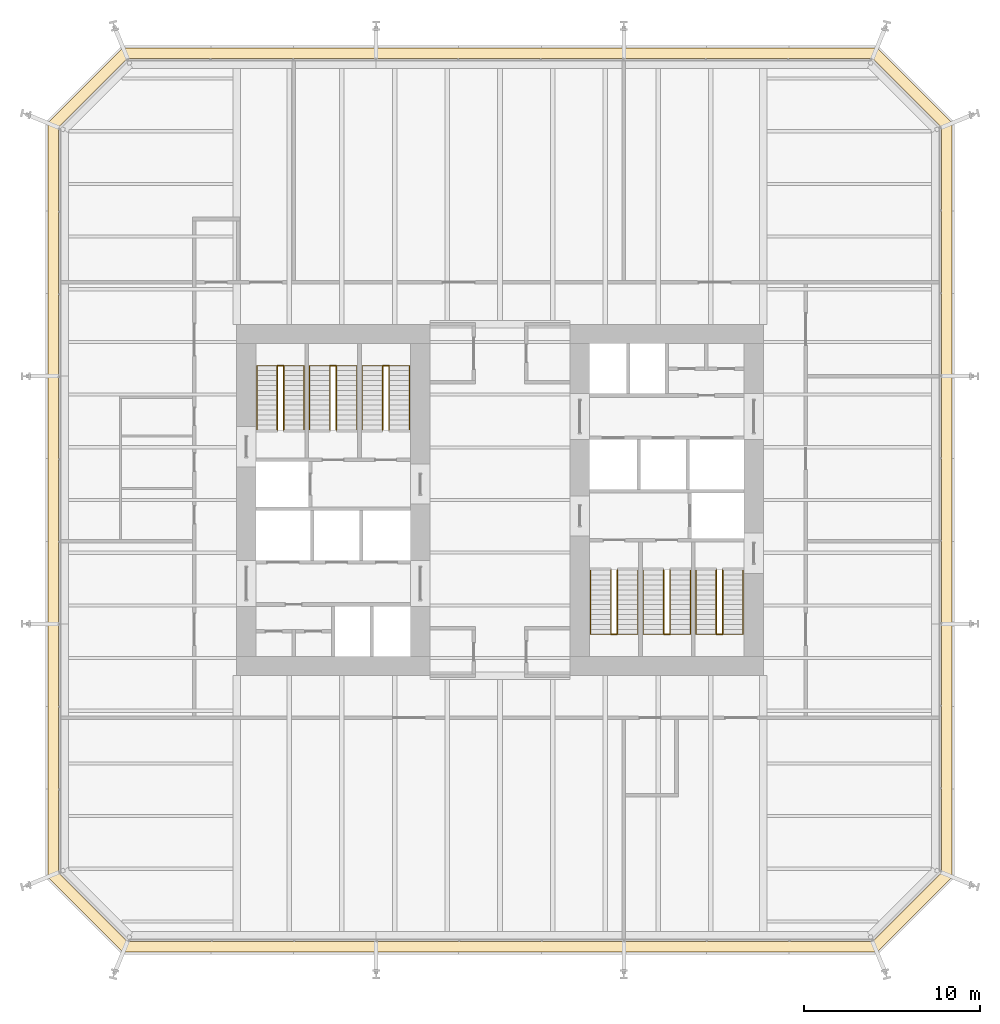
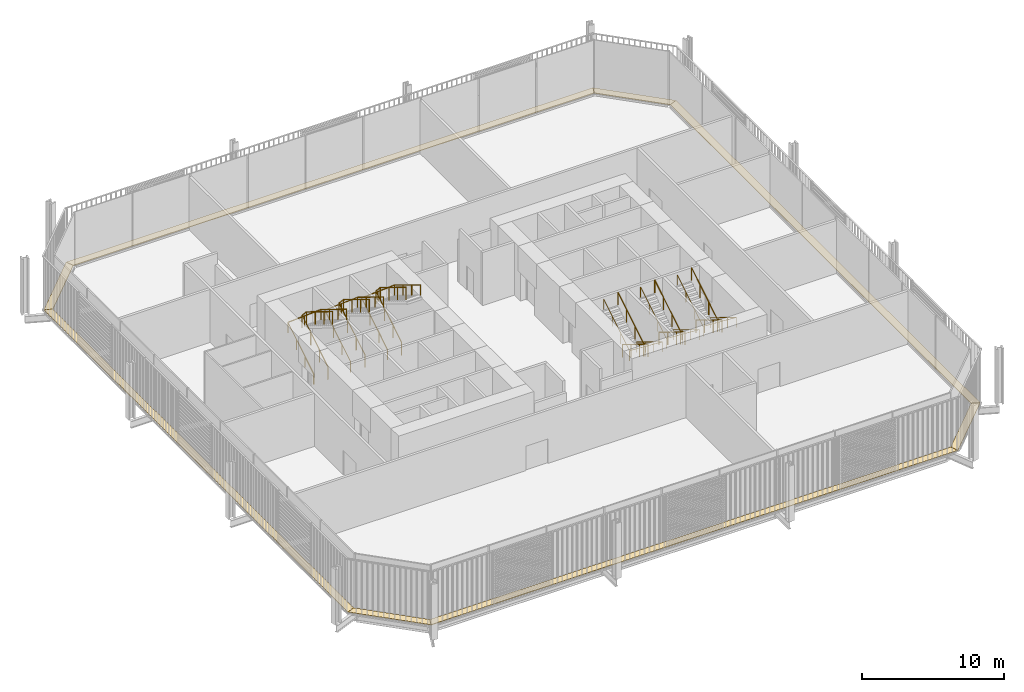
# One storey, part 22 of 22: 12 railings, 8 coverings.
"""IFC4 building model written with IfcOpenShell, lengths in metres."""

from ifc_helpers import new_model, si_unit, direction, frame, origin, origin_2d, place, context, subcontext, project, spatial, polyline, circle, outline, extrude, material, layer, layer_set, type_object, element, save


model = new_model("IFC4")

# Units and contexts
model_context = context("Model", 3, precision=1e-05, world=origin(), true_north=direction((0.0, 1.0)))
body_context = subcontext(model_context, "Body", "Model", "MODEL_VIEW")
ifc_project = project(units=[si_unit("LENGTHUNIT", "METRE"), si_unit("AREAUNIT", "SQUARE_METRE"), si_unit("VOLUMEUNIT", "CUBIC_METRE"), si_unit("PLANEANGLEUNIT", "RADIAN"), si_unit("MASSUNIT", "GRAM", prefix="KILO")], contexts=[model_context])

# Site, building, storey
site_placement = place(None, origin())
site = spatial("IfcSite", under=ifc_project, at=site_placement, CompositionType="ELEMENT")
building_placement = place(site_placement, origin())
building = spatial("IfcBuilding", under=site, at=building_placement, Name="Millrace Tower", CompositionType="ELEMENT")
storey_placement = place(building_placement, frame((0.0, 0.0, 49.699951171875)))
storey = spatial("IfcBuildingStorey", under=building, at=storey_placement, Name="L11", CompositionType="ELEMENT", Elevation=49.699951171875)

# Coverings
ifc_material_1 = material(Name="Steel ASTM A36", Category="steel")
ifc_layer = layer(ifc_material_1, 0.050048828125)
ifc_layer_set = layer_set([ifc_layer], Name="Steel ASTM A36")
covering_type = type_object("IfcCoveringType", Name="CAVITY CATWALK steel grating", PredefinedType="FLOORING", material=ifc_layer_set)
placement = place(storey_placement, frame((0.0, 0.0, 0.10009765625)))
element("IfcCovering", 1, at=placement, inside=storey, type_object=covering_type, Name="Cavity catwalk grating A-F01 L11 1", PredefinedType="FLOORING", context=body_context, shape_type="SweptSolid", body=[
    extrude(outline(polyline([(-25.75, -21.460693359375), (-21.460693359375, -25.75), (-21.212158203125, -25.14990234375), (-25.14990234375, -21.212158203125), (-25.75, -21.460693359375)])), origin(), (0.0, 0.0, 1.0), 0.050048828125),
])
element("IfcCovering", 2, at=placement, inside=storey, type_object=covering_type, Name="Cavity catwalk grating A-F02 L11 1", PredefinedType="FLOORING", context=body_context, shape_type="SweptSolid", body=[
    extrude(outline(polyline([(-21.460693359375, -25.75), (21.460693359375, -25.75), (21.212158203125, -25.14990234375), (-21.212158203125, -25.14990234375), (-21.460693359375, -25.75)])), origin(), (0.0, 0.0, 1.0), 0.050048828125),
])
element("IfcCovering", 3, at=placement, inside=storey, type_object=covering_type, Name="Cavity catwalk grating A-F03 L11 1", PredefinedType="FLOORING", context=body_context, shape_type="SweptSolid", body=[
    extrude(outline(polyline([(21.460693359375, -25.75), (25.75, -21.460693359375), (25.14990234375, -21.212158203125), (21.212158203125, -25.14990234375), (21.460693359375, -25.75)])), origin(), (0.0, 0.0, 1.0), 0.050048828125),
])
element("IfcCovering", 4, at=placement, inside=storey, type_object=covering_type, Name="Cavity catwalk grating A-F04 L11 1", PredefinedType="FLOORING", context=body_context, shape_type="SweptSolid", body=[
    extrude(outline(polyline([(25.75, -21.460693359375), (25.75, 21.460693359375), (25.14990234375, 21.212158203125), (25.14990234375, -21.212158203125), (25.75, -21.460693359375)])), origin(), (0.0, 0.0, 1.0), 0.050048828125),
])
element("IfcCovering", 5, at=placement, inside=storey, type_object=covering_type, Name="Cavity catwalk grating A-F05 L11 1", PredefinedType="FLOORING", context=body_context, shape_type="SweptSolid", body=[
    extrude(outline(polyline([(25.75, 21.460693359375), (21.460693359375, 25.75), (21.212158203125, 25.14990234375), (25.14990234375, 21.212158203125), (25.75, 21.460693359375)])), origin(), (0.0, 0.0, 1.0), 0.050048828125),
])
element("IfcCovering", 6, at=placement, inside=storey, type_object=covering_type, Name="Cavity catwalk grating A-F06 L11 1", PredefinedType="FLOORING", context=body_context, shape_type="SweptSolid", body=[
    extrude(outline(polyline([(21.460693359375, 25.75), (-21.460693359375, 25.75), (-21.212158203125, 25.14990234375), (21.212158203125, 25.14990234375), (21.460693359375, 25.75)])), origin(), (0.0, 0.0, 1.0), 0.050048828125),
])
element("IfcCovering", 7, at=placement, inside=storey, type_object=covering_type, Name="Cavity catwalk grating A-F07 L11 1", PredefinedType="FLOORING", context=body_context, shape_type="SweptSolid", body=[
    extrude(outline(polyline([(-21.460693359375, 25.75), (-25.75, 21.460693359375), (-25.14990234375, 21.212158203125), (-21.212158203125, 25.14990234375), (-21.460693359375, 25.75)])), origin(), (0.0, 0.0, 1.0), 0.050048828125),
])
element("IfcCovering", 8, at=placement, inside=storey, type_object=covering_type, Name="Cavity catwalk grating A-F08 L11 1", PredefinedType="FLOORING", context=body_context, shape_type="SweptSolid", body=[
    extrude(outline(polyline([(-25.75, 21.460693359375), (-25.75, -21.460693359375), (-25.14990234375, -21.212158203125), (-25.14990234375, 21.212158203125), (-25.75, 21.460693359375)])), origin(), (0.0, 0.0, 1.0), 0.050048828125),
])

# Railings
ifc_material_2 = material(Name="Stainless steel ASTM A240 type 316", Category="steel")
railing_type_1 = type_object("IfcRailingType", Name="Stair guard 1100", PredefinedType="GUARDRAIL", material=ifc_material_2)
for number, where, name in (
    (9, (-12.679931640625, 4.0, 0.17138671875), "Stair guard 1 W L11"),
    (10, (-9.679931640625, 4.0, 0.17138671875), "Stair guard 2 W L11"),
    (11, (-6.679931640625, 4.0, 0.17138671875), "Stair guard 3 W L11"),
):
    element("IfcRailing", number, at=place(storey_placement, frame(where)), inside=storey, type_object=railing_type_1, Name=name, PredefinedType="GUARDRAIL", context=body_context, shape_type="SweptSolid", body=[
        extrude(circle(Radius=0.02392578125, at=origin_2d()), frame((0.0, 0.0, 1.076171875), z_axis=(0.0, 0.852824790078, 0.522197163366), x_axis=(-1.0, 0.0, 0.0)), (0.0, 0.0, 1.0), 4.26806640625),
        extrude(circle(Radius=0.02392578125, at=origin_2d()), frame((0.0, 3.639892578125, 3.3046875), z_axis=(0.902837873996, 0.0, 0.429981131306), x_axis=(0.0, 1.0, 0.0)), (0.0, 0.0, 1.0), 0.398681640625),
        extrude(circle(Radius=0.02392578125, at=origin_2d()), frame((0.35986328125, 3.639892578125, 3.47607421875), z_axis=(0.0, -0.852850264322, 0.5221555579), x_axis=(1.0, 0.0, 0.0)), (0.0, 0.0, 1.0), 4.267822265625),
        extrude(circle(Radius=0.02099609375, at=origin_2d()), origin(), (0.0, 0.0, 1.0), 1.052001953125),
        extrude(circle(Radius=0.02099609375, at=origin_2d()), frame((0.0, 1.21337890625, 0.742919921875)), (0.0, 0.0, 1.0), 1.052001953125),
        extrude(circle(Radius=0.02099609375, at=origin_2d()), frame((0.0, 2.426513671875, 1.48583984375)), (0.0, 0.0, 1.0), 1.052001953125),
        extrude(circle(Radius=0.02099609375, at=origin_2d()), frame((0.0, 3.639892578125, 2.228759765625)), (0.0, 0.0, 1.0), 1.052001953125),
        extrude(circle(Radius=0.02099609375, at=origin_2d()), frame((0.35986328125, 3.639892578125, 2.400146484375)), (0.0, 0.0, 1.0), 1.052001953125),
        extrude(circle(Radius=0.02099609375, at=origin_2d()), frame((0.35986328125, 2.426513671875, 3.14306640625)), (0.0, 0.0, 1.0), 1.052001953125),
        extrude(circle(Radius=0.02099609375, at=origin_2d()), frame((0.35986328125, 1.21337890625, 3.8857421875)), (0.0, 0.0, 1.0), 1.052001953125),
        extrude(circle(Radius=0.02099609375, at=origin_2d()), frame((0.35986328125, 0.0, 4.628662109375)), (0.0, 0.0, 1.0), 1.052001953125),
    ])
for number, where, name in (
    (12, (12.679931640625, -4.0, 0.17138671875), "Stair guard 1 E L11"),
    (13, (9.679931640625, -4.0, 0.17138671875), "Stair guard 2 E L11"),
    (14, (6.679931640625, -4.0, 0.17138671875), "Stair guard 3 E L11"),
):
    element("IfcRailing", number, at=place(storey_placement, frame(where)), inside=storey, type_object=railing_type_1, Name=name, PredefinedType="GUARDRAIL", context=body_context, shape_type="SweptSolid", body=[
        extrude(circle(Radius=0.02392578125, at=origin_2d()), frame((0.0, 0.0, 1.076171875), z_axis=(0.0, -0.852824790078, 0.522197163366), x_axis=(1.0, 0.0, 0.0)), (0.0, 0.0, 1.0), 4.26806640625),
        extrude(circle(Radius=0.02392578125, at=origin_2d()), frame((0.0, -3.639892578125, 3.3046875), z_axis=(-0.902837873996, 0.0, 0.429981131306), x_axis=(0.0, -1.0, 0.0)), (0.0, 0.0, 1.0), 0.398681640625),
        extrude(circle(Radius=0.02392578125, at=origin_2d()), frame((-0.35986328125, -3.639892578125, 3.47607421875), z_axis=(0.0, 0.852850264322, 0.5221555579), x_axis=(-1.0, 0.0, 0.0)), (0.0, 0.0, 1.0), 4.267822265625),
        extrude(circle(Radius=0.02099609375, at=origin_2d()), origin(), (0.0, 0.0, 1.0), 1.052001953125),
        extrude(circle(Radius=0.02099609375, at=origin_2d()), frame((0.0, -1.21337890625, 0.742919921875)), (0.0, 0.0, 1.0), 1.052001953125),
        extrude(circle(Radius=0.02099609375, at=origin_2d()), frame((0.0, -2.426513671875, 1.48583984375)), (0.0, 0.0, 1.0), 1.052001953125),
        extrude(circle(Radius=0.02099609375, at=origin_2d()), frame((0.0, -3.639892578125, 2.228759765625)), (0.0, 0.0, 1.0), 1.052001953125),
        extrude(circle(Radius=0.02099609375, at=origin_2d()), frame((-0.35986328125, -3.639892578125, 2.400146484375)), (0.0, 0.0, 1.0), 1.052001953125),
        extrude(circle(Radius=0.02099609375, at=origin_2d()), frame((-0.35986328125, -2.426513671875, 3.14306640625)), (0.0, 0.0, 1.0), 1.052001953125),
        extrude(circle(Radius=0.02099609375, at=origin_2d()), frame((-0.35986328125, -1.21337890625, 3.8857421875)), (0.0, 0.0, 1.0), 1.052001953125),
        extrude(circle(Radius=0.02099609375, at=origin_2d()), frame((-0.35986328125, 0.0, 4.628662109375)), (0.0, 0.0, 1.0), 1.052001953125),
    ])
ifc_material_3 = material(Name="Stainless steel ASTM A240 type 316", Category="steel")
railing_type_2 = type_object("IfcRailingType", Name="Stair handrail 900", PredefinedType="HANDRAIL", material=ifc_material_3)
railing_1_placement = place(storey_placement, frame((-13.840087890625, 4.0, 0.17138671875)))
element("IfcRailing", 15, at=railing_1_placement, inside=storey, type_object=railing_type_2, Name="Stair handrail 1 W L11", PredefinedType="HANDRAIL", context=body_context, shape_type="SweptSolid", body=[
    extrude(circle(Radius=0.02392578125, at=origin_2d()), frame((0.0, 0.0, 0.8759765625), z_axis=(0.0, 0.852824790078, 0.522197163366), x_axis=(-1.0, 0.0, 0.0)), (0.0, 0.0, 1.0), 4.26806640625),
    extrude(circle(Radius=0.02392578125, at=origin_2d()), frame((0.0, 3.639892578125, 3.1044921875), z_axis=(0.9979616988, 0.0, 0.063815732607), x_axis=(0.0, 1.0, 0.0)), (0.0, 0.0, 1.0), 2.685546875),
    extrude(circle(Radius=0.02392578125, at=origin_2d()), frame((2.68017578125, 3.639892578125, 3.27587890625), z_axis=(0.0, -0.852850264322, 0.5221555579), x_axis=(1.0, 0.0, 0.0)), (0.0, 0.0, 1.0), 4.267822265625),
    extrude(circle(Radius=0.02099609375, at=origin_2d()), origin(), (0.0, 0.0, 1.0), 0.851806640625),
    extrude(circle(Radius=0.02099609375, at=origin_2d()), frame((0.0, 1.21337890625, 0.742919921875)), (0.0, 0.0, 1.0), 0.851806640625),
    extrude(circle(Radius=0.02099609375, at=origin_2d()), frame((0.0, 2.426513671875, 1.48583984375)), (0.0, 0.0, 1.0), 0.851806640625),
    extrude(circle(Radius=0.02099609375, at=origin_2d()), frame((0.0, 3.639892578125, 2.228759765625)), (0.0, 0.0, 1.0), 0.851806640625),
    extrude(circle(Radius=0.02099609375, at=origin_2d()), frame((1.340087890625, 3.639892578125, 2.314453125)), (0.0, 0.0, 1.0), 0.851806640625),
    extrude(circle(Radius=0.02099609375, at=origin_2d()), frame((2.68017578125, 3.639892578125, 2.400146484375)), (0.0, 0.0, 1.0), 0.851806640625),
    extrude(circle(Radius=0.02099609375, at=origin_2d()), frame((2.68017578125, 2.426513671875, 3.14306640625)), (0.0, 0.0, 1.0), 0.851806640625),
    extrude(circle(Radius=0.02099609375, at=origin_2d()), frame((2.68017578125, 1.21337890625, 3.8857421875)), (0.0, 0.0, 1.0), 0.851806640625),
    extrude(circle(Radius=0.02099609375, at=origin_2d()), frame((2.68017578125, 0.0, 4.628662109375)), (0.0, 0.0, 1.0), 0.851806640625),
])
railing_2_placement = place(storey_placement, frame((-10.840087890625, 4.0, 0.17138671875)))
element("IfcRailing", 16, at=railing_2_placement, inside=storey, type_object=railing_type_2, Name="Stair handrail 2 W L11", PredefinedType="HANDRAIL", context=body_context, shape_type="SweptSolid", body=[
    extrude(circle(Radius=0.02392578125, at=origin_2d()), frame((0.0, 0.0, 0.8759765625), z_axis=(0.0, 0.852824790078, 0.522197163366), x_axis=(-1.0, 0.0, 0.0)), (0.0, 0.0, 1.0), 4.26806640625),
    extrude(circle(Radius=0.02392578125, at=origin_2d()), frame((0.0, 3.639892578125, 3.1044921875), z_axis=(0.9979616988, 0.0, 0.063815732607), x_axis=(0.0, 1.0, 0.0)), (0.0, 0.0, 1.0), 2.685546875),
    extrude(circle(Radius=0.02392578125, at=origin_2d()), frame((2.68017578125, 3.639892578125, 3.27587890625), z_axis=(0.0, -0.852850264322, 0.5221555579), x_axis=(1.0, 0.0, 0.0)), (0.0, 0.0, 1.0), 4.267822265625),
    extrude(circle(Radius=0.02099609375, at=origin_2d()), origin(), (0.0, 0.0, 1.0), 0.851806640625),
    extrude(circle(Radius=0.02099609375, at=origin_2d()), frame((0.0, 1.21337890625, 0.742919921875)), (0.0, 0.0, 1.0), 0.851806640625),
    extrude(circle(Radius=0.02099609375, at=origin_2d()), frame((0.0, 2.426513671875, 1.48583984375)), (0.0, 0.0, 1.0), 0.851806640625),
    extrude(circle(Radius=0.02099609375, at=origin_2d()), frame((0.0, 3.639892578125, 2.228759765625)), (0.0, 0.0, 1.0), 0.851806640625),
    extrude(circle(Radius=0.02099609375, at=origin_2d()), frame((1.340087890625, 3.639892578125, 2.314453125)), (0.0, 0.0, 1.0), 0.851806640625),
    extrude(circle(Radius=0.02099609375, at=origin_2d()), frame((2.68017578125, 3.639892578125, 2.400146484375)), (0.0, 0.0, 1.0), 0.851806640625),
    extrude(circle(Radius=0.02099609375, at=origin_2d()), frame((2.68017578125, 2.426513671875, 3.14306640625)), (0.0, 0.0, 1.0), 0.851806640625),
    extrude(circle(Radius=0.02099609375, at=origin_2d()), frame((2.68017578125, 1.21337890625, 3.8857421875)), (0.0, 0.0, 1.0), 0.851806640625),
    extrude(circle(Radius=0.02099609375, at=origin_2d()), frame((2.68017578125, 0.0, 4.628662109375)), (0.0, 0.0, 1.0), 0.851806640625),
])
railing_3_placement = place(storey_placement, frame((-7.840087890625, 4.0, 0.17138671875)))
element("IfcRailing", 17, at=railing_3_placement, inside=storey, type_object=railing_type_2, Name="Stair handrail 3 W L11", PredefinedType="HANDRAIL", context=body_context, shape_type="SweptSolid", body=[
    extrude(circle(Radius=0.02392578125, at=origin_2d()), frame((0.0, 0.0, 0.8759765625), z_axis=(0.0, 0.852824790078, 0.522197163366), x_axis=(-1.0, 0.0, 0.0)), (0.0, 0.0, 1.0), 4.26806640625),
    extrude(circle(Radius=0.02392578125, at=origin_2d()), frame((0.0, 3.639892578125, 3.1044921875), z_axis=(0.9979616988, 0.0, 0.063815732607), x_axis=(0.0, 1.0, 0.0)), (0.0, 0.0, 1.0), 2.685546875),
    extrude(circle(Radius=0.02392578125, at=origin_2d()), frame((2.68017578125, 3.639892578125, 3.27587890625), z_axis=(0.0, -0.852850264322, 0.5221555579), x_axis=(1.0, 0.0, 0.0)), (0.0, 0.0, 1.0), 4.267822265625),
    extrude(circle(Radius=0.02099609375, at=origin_2d()), origin(), (0.0, 0.0, 1.0), 0.851806640625),
    extrude(circle(Radius=0.02099609375, at=origin_2d()), frame((0.0, 1.21337890625, 0.742919921875)), (0.0, 0.0, 1.0), 0.851806640625),
    extrude(circle(Radius=0.02099609375, at=origin_2d()), frame((0.0, 2.426513671875, 1.48583984375)), (0.0, 0.0, 1.0), 0.851806640625),
    extrude(circle(Radius=0.02099609375, at=origin_2d()), frame((0.0, 3.639892578125, 2.228759765625)), (0.0, 0.0, 1.0), 0.851806640625),
    extrude(circle(Radius=0.02099609375, at=origin_2d()), frame((1.340087890625, 3.639892578125, 2.314453125)), (0.0, 0.0, 1.0), 0.851806640625),
    extrude(circle(Radius=0.02099609375, at=origin_2d()), frame((2.68017578125, 3.639892578125, 2.400146484375)), (0.0, 0.0, 1.0), 0.851806640625),
    extrude(circle(Radius=0.02099609375, at=origin_2d()), frame((2.68017578125, 2.426513671875, 3.14306640625)), (0.0, 0.0, 1.0), 0.851806640625),
    extrude(circle(Radius=0.02099609375, at=origin_2d()), frame((2.68017578125, 1.21337890625, 3.8857421875)), (0.0, 0.0, 1.0), 0.851806640625),
    extrude(circle(Radius=0.02099609375, at=origin_2d()), frame((2.68017578125, 0.0, 4.628662109375)), (0.0, 0.0, 1.0), 0.851806640625),
])
railing_4_placement = place(storey_placement, frame((13.840087890625, -4.0, 0.17138671875)))
element("IfcRailing", 18, at=railing_4_placement, inside=storey, type_object=railing_type_2, Name="Stair handrail 1 E L11", PredefinedType="HANDRAIL", context=body_context, shape_type="SweptSolid", body=[
    extrude(circle(Radius=0.02392578125, at=origin_2d()), frame((0.0, 0.0, 0.8759765625), z_axis=(0.0, -0.852824790078, 0.522197163366), x_axis=(1.0, 0.0, 0.0)), (0.0, 0.0, 1.0), 4.26806640625),
    extrude(circle(Radius=0.02392578125, at=origin_2d()), frame((0.0, -3.639892578125, 3.1044921875), z_axis=(-0.9979616988, 0.0, 0.063815732607), x_axis=(0.0, -1.0, 0.0)), (0.0, 0.0, 1.0), 2.685546875),
    extrude(circle(Radius=0.02392578125, at=origin_2d()), frame((-2.68017578125, -3.639892578125, 3.27587890625), z_axis=(0.0, 0.852850264322, 0.5221555579), x_axis=(-1.0, 0.0, 0.0)), (0.0, 0.0, 1.0), 4.267822265625),
    extrude(circle(Radius=0.02099609375, at=origin_2d()), origin(), (0.0, 0.0, 1.0), 0.851806640625),
    extrude(circle(Radius=0.02099609375, at=origin_2d()), frame((0.0, -1.21337890625, 0.742919921875)), (0.0, 0.0, 1.0), 0.851806640625),
    extrude(circle(Radius=0.02099609375, at=origin_2d()), frame((0.0, -2.426513671875, 1.48583984375)), (0.0, 0.0, 1.0), 0.851806640625),
    extrude(circle(Radius=0.02099609375, at=origin_2d()), frame((0.0, -3.639892578125, 2.228759765625)), (0.0, 0.0, 1.0), 0.851806640625),
    extrude(circle(Radius=0.02099609375, at=origin_2d()), frame((-1.340087890625, -3.639892578125, 2.314453125)), (0.0, 0.0, 1.0), 0.851806640625),
    extrude(circle(Radius=0.02099609375, at=origin_2d()), frame((-2.68017578125, -3.639892578125, 2.400146484375)), (0.0, 0.0, 1.0), 0.851806640625),
    extrude(circle(Radius=0.02099609375, at=origin_2d()), frame((-2.68017578125, -2.426513671875, 3.14306640625)), (0.0, 0.0, 1.0), 0.851806640625),
    extrude(circle(Radius=0.02099609375, at=origin_2d()), frame((-2.68017578125, -1.21337890625, 3.8857421875)), (0.0, 0.0, 1.0), 0.851806640625),
    extrude(circle(Radius=0.02099609375, at=origin_2d()), frame((-2.68017578125, 0.0, 4.628662109375)), (0.0, 0.0, 1.0), 0.851806640625),
])
railing_5_placement = place(storey_placement, frame((10.840087890625, -4.0, 0.17138671875)))
element("IfcRailing", 19, at=railing_5_placement, inside=storey, type_object=railing_type_2, Name="Stair handrail 2 E L11", PredefinedType="HANDRAIL", context=body_context, shape_type="SweptSolid", body=[
    extrude(circle(Radius=0.02392578125, at=origin_2d()), frame((0.0, 0.0, 0.8759765625), z_axis=(0.0, -0.852824790078, 0.522197163366), x_axis=(1.0, 0.0, 0.0)), (0.0, 0.0, 1.0), 4.26806640625),
    extrude(circle(Radius=0.02392578125, at=origin_2d()), frame((0.0, -3.639892578125, 3.1044921875), z_axis=(-0.9979616988, 0.0, 0.063815732607), x_axis=(0.0, -1.0, 0.0)), (0.0, 0.0, 1.0), 2.685546875),
    extrude(circle(Radius=0.02392578125, at=origin_2d()), frame((-2.68017578125, -3.639892578125, 3.27587890625), z_axis=(0.0, 0.852850264322, 0.5221555579), x_axis=(-1.0, 0.0, 0.0)), (0.0, 0.0, 1.0), 4.267822265625),
    extrude(circle(Radius=0.02099609375, at=origin_2d()), origin(), (0.0, 0.0, 1.0), 0.851806640625),
    extrude(circle(Radius=0.02099609375, at=origin_2d()), frame((0.0, -1.21337890625, 0.742919921875)), (0.0, 0.0, 1.0), 0.851806640625),
    extrude(circle(Radius=0.02099609375, at=origin_2d()), frame((0.0, -2.426513671875, 1.48583984375)), (0.0, 0.0, 1.0), 0.851806640625),
    extrude(circle(Radius=0.02099609375, at=origin_2d()), frame((0.0, -3.639892578125, 2.228759765625)), (0.0, 0.0, 1.0), 0.851806640625),
    extrude(circle(Radius=0.02099609375, at=origin_2d()), frame((-1.340087890625, -3.639892578125, 2.314453125)), (0.0, 0.0, 1.0), 0.851806640625),
    extrude(circle(Radius=0.02099609375, at=origin_2d()), frame((-2.68017578125, -3.639892578125, 2.400146484375)), (0.0, 0.0, 1.0), 0.851806640625),
    extrude(circle(Radius=0.02099609375, at=origin_2d()), frame((-2.68017578125, -2.426513671875, 3.14306640625)), (0.0, 0.0, 1.0), 0.851806640625),
    extrude(circle(Radius=0.02099609375, at=origin_2d()), frame((-2.68017578125, -1.21337890625, 3.8857421875)), (0.0, 0.0, 1.0), 0.851806640625),
    extrude(circle(Radius=0.02099609375, at=origin_2d()), frame((-2.68017578125, 0.0, 4.628662109375)), (0.0, 0.0, 1.0), 0.851806640625),
])
railing_6_placement = place(storey_placement, frame((7.840087890625, -4.0, 0.17138671875)))
element("IfcRailing", 20, at=railing_6_placement, inside=storey, type_object=railing_type_2, Name="Stair handrail 3 E L11", PredefinedType="HANDRAIL", context=body_context, shape_type="SweptSolid", body=[
    extrude(circle(Radius=0.02392578125, at=origin_2d()), frame((0.0, 0.0, 0.8759765625), z_axis=(0.0, -0.852824790078, 0.522197163366), x_axis=(1.0, 0.0, 0.0)), (0.0, 0.0, 1.0), 4.26806640625),
    extrude(circle(Radius=0.02392578125, at=origin_2d()), frame((0.0, -3.639892578125, 3.1044921875), z_axis=(-0.9979616988, 0.0, 0.063815732607), x_axis=(0.0, -1.0, 0.0)), (0.0, 0.0, 1.0), 2.685546875),
    extrude(circle(Radius=0.02392578125, at=origin_2d()), frame((-2.68017578125, -3.639892578125, 3.27587890625), z_axis=(0.0, 0.852850264322, 0.5221555579), x_axis=(-1.0, 0.0, 0.0)), (0.0, 0.0, 1.0), 4.267822265625),
    extrude(circle(Radius=0.02099609375, at=origin_2d()), origin(), (0.0, 0.0, 1.0), 0.851806640625),
    extrude(circle(Radius=0.02099609375, at=origin_2d()), frame((0.0, -1.21337890625, 0.742919921875)), (0.0, 0.0, 1.0), 0.851806640625),
    extrude(circle(Radius=0.02099609375, at=origin_2d()), frame((0.0, -2.426513671875, 1.48583984375)), (0.0, 0.0, 1.0), 0.851806640625),
    extrude(circle(Radius=0.02099609375, at=origin_2d()), frame((0.0, -3.639892578125, 2.228759765625)), (0.0, 0.0, 1.0), 0.851806640625),
    extrude(circle(Radius=0.02099609375, at=origin_2d()), frame((-1.340087890625, -3.639892578125, 2.314453125)), (0.0, 0.0, 1.0), 0.851806640625),
    extrude(circle(Radius=0.02099609375, at=origin_2d()), frame((-2.68017578125, -3.639892578125, 2.400146484375)), (0.0, 0.0, 1.0), 0.851806640625),
    extrude(circle(Radius=0.02099609375, at=origin_2d()), frame((-2.68017578125, -2.426513671875, 3.14306640625)), (0.0, 0.0, 1.0), 0.851806640625),
    extrude(circle(Radius=0.02099609375, at=origin_2d()), frame((-2.68017578125, -1.21337890625, 3.8857421875)), (0.0, 0.0, 1.0), 0.851806640625),
    extrude(circle(Radius=0.02099609375, at=origin_2d()), frame((-2.68017578125, 0.0, 4.628662109375)), (0.0, 0.0, 1.0), 0.851806640625),
])

save(model, "model.ifc")
